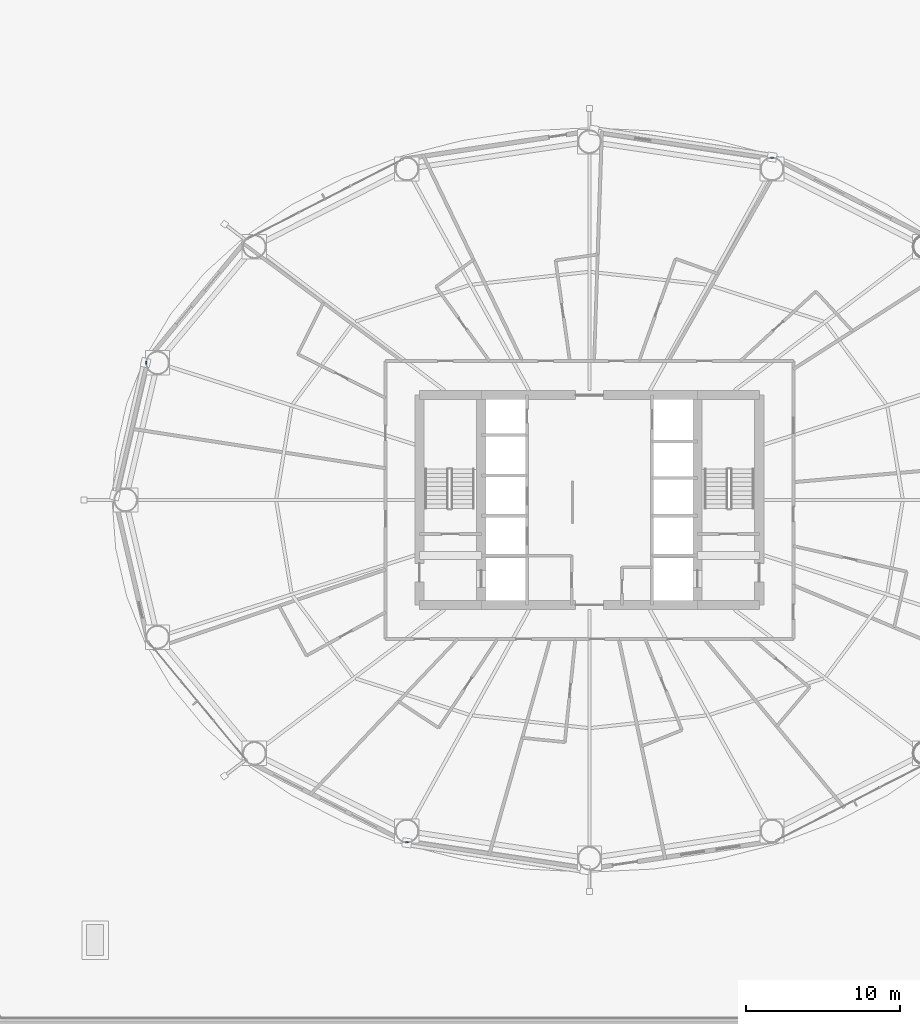
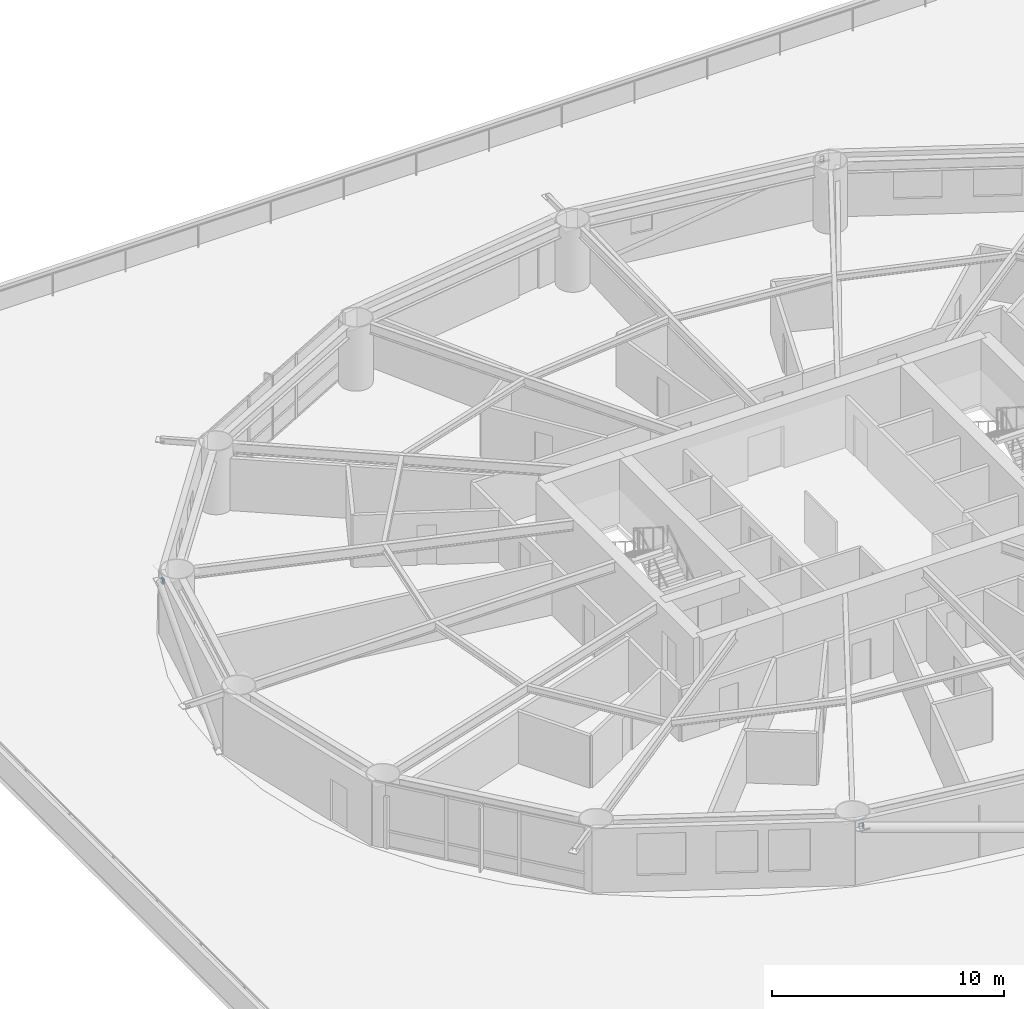
# One storey, part 15 of 30: 3 members.
"""IFC4 building model written with IfcOpenShell, lengths in metres."""

from ifc_helpers import new_model, si_unit, direction, frame, origin, origin_2d, place, context, subcontext, project, spatial, hollow_rectangle, extrude, material, material_profile, profile_set, type_object, element, save


model = new_model("IFC4")

# Units and contexts
model_context = context("Model", 3, precision=1e-05, world=origin(), true_north=direction((0.0, 1.0)))
body_context = subcontext(model_context, "Body", "Model", "MODEL_VIEW")
ifc_project = project(units=[si_unit("LENGTHUNIT", "METRE"), si_unit("AREAUNIT", "SQUARE_METRE"), si_unit("VOLUMEUNIT", "CUBIC_METRE"), si_unit("PLANEANGLEUNIT", "RADIAN"), si_unit("MASSUNIT", "GRAM", prefix="KILO")], contexts=[model_context])

# Site, building, storey
site_placement = place(None, origin())
site = spatial("IfcSite", under=ifc_project, at=site_placement, CompositionType="ELEMENT")
building_placement = place(site_placement, origin())
building = spatial("IfcBuilding", under=site, at=building_placement, Name="Sarneth Arch Tower", CompositionType="ELEMENT")
storey_placement = place(building_placement, frame((0.0, 0.0, 28.199951171875)))
storey = spatial("IfcBuildingStorey", under=building, at=storey_placement, Name="L05", CompositionType="ELEMENT", Elevation=28.199951171875)

# Members
ifc_material = material(Name="Steel S355", Category="steel")
ifc_material_profile = material_profile(ifc_material, hollow_rectangle(XDim=0.199951171875, YDim=0.300048828125, WallThickness=0.012451171875, InnerFilletRadius=0.018798828125, OuterFilletRadius=0.03125, at=origin_2d()), Name="RHS300x200x12.5")
ifc_profile_set = profile_set([ifc_material_profile], Name="Steel S355")
member_type = type_object("IfcMemberType", Name="MEM-CANT-STRUT", PredefinedType="STRUT", material=ifc_profile_set)
member_1_placement = place(storey_placement, frame((59.8193359375, 64.109130859375, 3.0068359375), z_axis=(0.002710017149, 0.999996327897, 0.0), x_axis=(-0.999996327897, 0.002710017149, 0.0)))
element("IfcMember", 1, at=member_1_placement, inside=storey, type_object=member_type, Name="L05 Exoskeleton brace node strut 04B", PredefinedType="STRUT", context=body_context, shape_type="SweptSolid", body=[
    extrude(hollow_rectangle(XDim=0.199951171875, YDim=0.300048828125, WallThickness=0.012451171875, InnerFilletRadius=0.018798828125, OuterFilletRadius=0.03125, at=origin_2d()), origin(), (0.0, 0.0, 1.0), 0.090087890625),
])
member_2_placement = place(storey_placement, frame((19.359619140625, 50.8837890625, 3.0068359375), z_axis=(-0.999972430314, 0.007425537849, 0.0), x_axis=(-0.007425537849, -0.999972430314, 0.0)))
element("IfcMember", 2, at=member_2_placement, inside=storey, type_object=member_type, Name="L05 Exoskeleton brace node strut 08B", PredefinedType="STRUT", context=body_context, shape_type="SweptSolid", body=[
    extrude(hollow_rectangle(XDim=0.199951171875, YDim=0.300048828125, WallThickness=0.012451171875, InnerFilletRadius=0.018798828125, OuterFilletRadius=0.03125, at=origin_2d()), origin(), (0.0, 0.0, 1.0), 0.0986328125),
])
member_3_placement = place(storey_placement, frame((36.1806640625, 19.890869140625, 3.0068359375), z_axis=(-0.002710017149, -0.999996327897, 0.0), x_axis=(0.999996327897, -0.002710017149, 0.0)))
element("IfcMember", 3, at=member_3_placement, inside=storey, type_object=member_type, Name="L05 Exoskeleton brace node strut 12B", PredefinedType="STRUT", context=body_context, shape_type="SweptSolid", body=[
    extrude(hollow_rectangle(XDim=0.199951171875, YDim=0.300048828125, WallThickness=0.012451171875, InnerFilletRadius=0.018798828125, OuterFilletRadius=0.03125, at=origin_2d()), origin(), (0.0, 0.0, 1.0), 0.090087890625),
])

save(model, "model.ifc")
